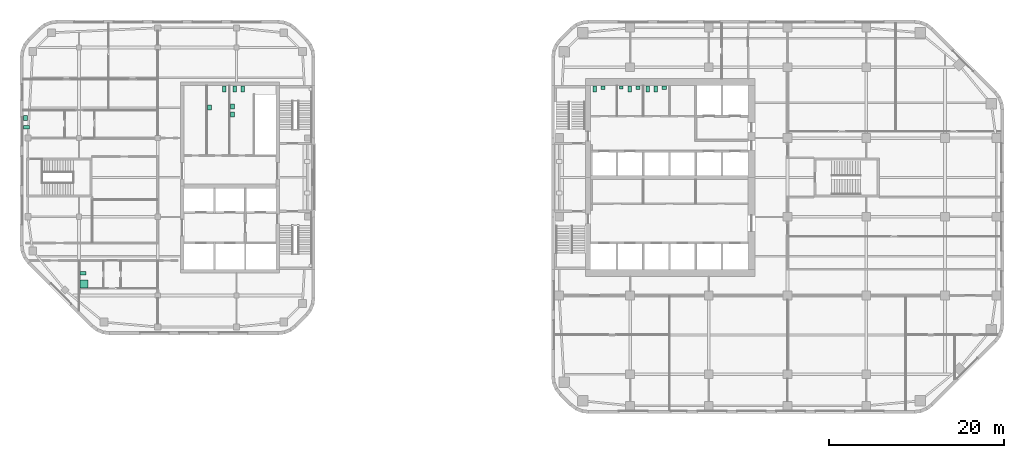
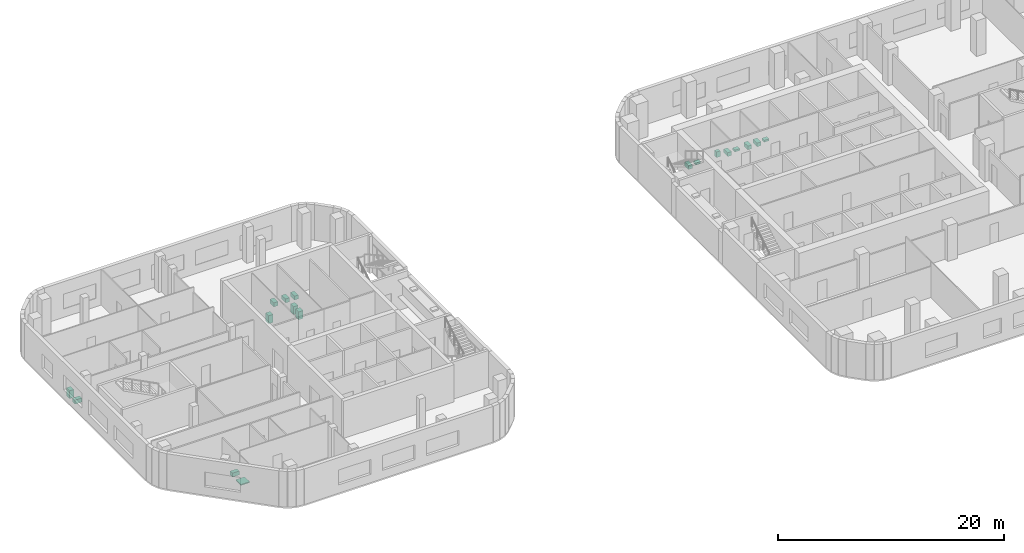
# One storey, part 14 of 14: 18 sanitary terminals.
"""IFC4 building model written with IfcOpenShell, lengths in metres."""

import ifcopenshell
import ifcopenshell.guid

model = None  # the IFC model being written
_history = None  # IfcOwnerHistory: only IFC2X3 demands one
_inside = {}  # id of a spatial element -> (the spatial element, [elements in it])
_under = {}  # id of a project, library or spatial element -> (it, [spatial elements below it])
_declared = {}  # id of a project -> (the project, [libraries it declares])
_typed = {}  # id of a type object -> (the type object, [elements of that type])
_made_of = {}  # id of a material, layer set ... -> (it, [elements and type objects made of it])


def new_model(schema):
    """Start an empty IFC model of exactly this schema.

    Asked for "IFC4X3", IfcOpenShell would pick the latest addendum, in which some entities
    have other attributes; the version numbers below select the first issue.
    IFC2X3 requires an IfcOwnerHistory on every rooted entity: one is made here for all.
    """
    global model, _history
    if schema == "IFC4X3":
        model = ifcopenshell.file(schema_version=(4, 3, 0, 0))
    else:
        model = ifcopenshell.file(schema=schema)
    _inside.clear()
    _under.clear()
    _declared.clear()
    _typed.clear()
    _made_of.clear()
    _history = None
    if model.schema == "IFC2X3":
        org = make("IfcOrganization", Name="unknown")
        user = make(
            "IfcPersonAndOrganization",
            ThePerson=make("IfcPerson", FamilyName="unknown"),
            TheOrganization=org,
        )
        app = make(
            "IfcApplication",
            ApplicationDeveloper=org,
            Version="unknown",
            ApplicationFullName="unknown",
            ApplicationIdentifier="unknown",
        )
        _history = make(
            "IfcOwnerHistory",
            OwningUser=user,
            OwningApplication=app,
            ChangeAction="ADDED",
            CreationDate=0,
        )
    return model


def make(cls, **values):
    """One entity of the class cls with the attributes given. An attribute that is None is left unset."""
    return model.create_entity(
        cls, **{name: value for name, value in values.items() if value is not None}
    )


def rooted(cls, **values):
    """An entity with a GlobalId (a new one), such as an element, a storey or a relation."""
    return make(cls, GlobalId=ifcopenshell.guid.new(), OwnerHistory=_history, **values)


def si_unit(unit_type, name, prefix=None):
    """IfcSIUnit, for example si_unit("LENGTHUNIT", "METRE", prefix="MILLI")."""
    return make("IfcSIUnit", UnitType=unit_type, Prefix=prefix, Name=name)


def assignment(units):
    """IfcUnitAssignment: the units of a project."""
    return None if units is None else make("IfcUnitAssignment", Units=units)


def point(xyz):
    """IfcCartesianPoint."""
    return None if xyz is None else make("IfcCartesianPoint", Coordinates=xyz)


def direction(xyz):
    """IfcDirection."""
    return None if xyz is None else make("IfcDirection", DirectionRatios=xyz)


def frame(location, z_axis=None, x_axis=None):
    """IfcAxis2Placement3D, a coordinate frame: its origin and axes. An axis left out is left unset."""
    return make(
        "IfcAxis2Placement3D",
        Location=point(location),
        Axis=direction(z_axis),
        RefDirection=direction(x_axis),
    )


def frame_2d(location, x_axis=None):
    """IfcAxis2Placement2D, a coordinate frame in the plane: its origin and x axis."""
    return make(
        "IfcAxis2Placement2D", Location=point(location), RefDirection=direction(x_axis)
    )


def origin():
    """The frame at (0, 0, 0) with its axes left unset."""
    return frame((0.0, 0.0, 0.0))


def origin_2d():
    """The frame at (0, 0) in the plane with its x axis left unset."""
    return frame_2d((0.0, 0.0))


def place(relative_to, where):
    """IfcLocalPlacement: puts the frame where relative to a parent placement (None: the world)."""
    return make(
        "IfcLocalPlacement", PlacementRelTo=relative_to, RelativePlacement=where
    )


def context(
    kind, dimensions, precision=None, world=None, true_north=None, identifier=None
):
    """IfcGeometricRepresentationContext, for example the 3D "Model" context."""
    return make(
        "IfcGeometricRepresentationContext",
        ContextIdentifier=identifier,
        ContextType=kind,
        CoordinateSpaceDimension=dimensions,
        Precision=precision,
        WorldCoordinateSystem=world,
        TrueNorth=true_north,
    )


def subcontext(parent, identifier, kind, view, scale=None):
    """IfcGeometricRepresentationSubContext, for example "Body" below "Model"."""
    return make(
        "IfcGeometricRepresentationSubContext",
        ContextIdentifier=identifier,
        ContextType=kind,
        ParentContext=parent,
        TargetScale=scale,
        TargetView=view,
    )


def project(units=None, contexts=None):
    """IfcProject with its units and contexts."""
    return rooted(
        "IfcProject",
        Name="project",
        RepresentationContexts=contexts,
        UnitsInContext=assignment(units),
    )


def spatial(cls, under=None, at=None, **own):
    """A site, building, storey or space (cls), placed at a placement, below another one or the project."""
    s = rooted(cls, ObjectPlacement=at, **own)
    if under is not None:
        _under.setdefault(under.id(), (under, []))[1].append(s)
    return s


def profile(cls, at=None, kind="AREA", **sizes):
    """A parametric profile (cls). Its sizes go by their IFC names, for example OverallWidth=200.0."""
    return make(cls, ProfileType=kind, Position=at, **sizes)


def rectangle(**sizes):
    """IfcRectangleProfileDef."""
    return profile("IfcRectangleProfileDef", **sizes)


def extrude(swept, where, along, depth):
    """IfcExtrudedAreaSolid: the profile swept, set in the frame where, extruded along a direction by depth."""
    return make(
        "IfcExtrudedAreaSolid",
        SweptArea=swept,
        Position=where,
        ExtrudedDirection=direction(along),
        Depth=depth,
    )


def shape(context_of_items, identifier, shape_type, items):
    """IfcShapeRepresentation: the items that make up one representation, for example the "Body"."""
    return make(
        "IfcShapeRepresentation",
        ContextOfItems=context_of_items,
        RepresentationIdentifier=identifier,
        RepresentationType=shape_type,
        Items=items,
    )


def material(Name=None, Category=None):
    """IfcMaterial."""
    return make("IfcMaterial", Name=Name, Category=Category)


def made_of(thing, what):
    """Note that an element or type object is made of a material, layer set ...; save() writes the relation."""
    if what is not None:
        _made_of.setdefault(what.id(), (what, []))[1].append(thing)
    return thing


def type_object(cls, material=None, **own):
    """A type object (cls), such as IfcWallType, which elements share."""
    return made_of(rooted(cls, **own), material)


def element(
    cls,
    number,
    at=None,
    inside=None,
    cuts=None,
    type_object=None,
    material=None,
    context=None,
    identifier="Body",
    shape_type=None,
    held_by="IfcProductDefinitionShape",
    body=None,
    shapes=None,
    **own,
):
    """One element of the class cls, such as IfcWall. Its Tag is "e" and its number.

    at: its placement. inside: the storey or other place that contains it. cuts: it is an
    opening in that element (IfcRelVoidsElement). A single representation is given by context,
    identifier, shape_type and body (its items); several are given by shapes. held_by: the class
    of the entity that holds the representations. save() writes the other relations.
    """
    e = rooted(cls, Tag="e%d" % number, ObjectPlacement=at, **own)
    if body is not None:
        shapes = [shape(context, identifier, shape_type, body)]
    if shapes is not None:
        e.Representation = make(held_by, Representations=shapes)
    if inside is not None:
        _inside.setdefault(inside.id(), (inside, []))[1].append(e)
    if cuts is not None:
        rooted(
            "IfcRelVoidsElement", RelatingBuildingElement=cuts, RelatedOpeningElement=e
        )
    if type_object is not None:
        _typed.setdefault(type_object.id(), (type_object, []))[1].append(e)
    return made_of(e, material)


def aggregate(whole, parts):
    """IfcRelAggregates: a whole, such as a stair, and the parts it consists of."""
    return rooted("IfcRelAggregates", RelatingObject=whole, RelatedObjects=parts)


def save(model, path):
    """Write the relations noted so far, then the file.

    IfcRelAggregates (storeys below a building ...), IfcRelContainedInSpatialStructure (elements
    in a storey), IfcRelDefinesByType, IfcRelAssociatesMaterial and IfcRelDeclares: one each for
    every whole, place, type object, material and project.
    """
    for whole, parts in _under.values():
        aggregate(whole, parts)
    for where, things in _inside.values():
        rooted(
            "IfcRelContainedInSpatialStructure",
            RelatedElements=things,
            RelatingStructure=where,
        )
    for kind, things in _typed.values():
        rooted("IfcRelDefinesByType", RelatedObjects=things, RelatingType=kind)
    for what, things in _made_of.values():
        rooted("IfcRelAssociatesMaterial", RelatedObjects=things, RelatingMaterial=what)
    for by, libraries in _declared.values():
        rooted("IfcRelDeclares", RelatingContext=by, RelatedDefinitions=libraries)
    model.write(path)


model = new_model("IFC4")

# Units and contexts
model_context = context("Model", 3, precision=1e-05, world=origin(), true_north=direction((0.0, 1.0)))
body_context = subcontext(model_context, "Body", "Model", "MODEL_VIEW")
ifc_project = project(units=[si_unit("LENGTHUNIT", "METRE"), si_unit("AREAUNIT", "SQUARE_METRE"), si_unit("VOLUMEUNIT", "CUBIC_METRE"), si_unit("PLANEANGLEUNIT", "RADIAN"), si_unit("MASSUNIT", "GRAM", prefix="KILO")], contexts=[model_context])

# Site, building, storey
site_placement = place(None, origin())
site = spatial("IfcSite", under=ifc_project, at=site_placement, CompositionType="ELEMENT")
building_placement = place(site_placement, origin())
building = spatial("IfcBuilding", under=site, at=building_placement, Name="Cinnabar Reach Civic Tower", CompositionType="ELEMENT")
storey_placement = place(building_placement, frame((0.0, 0.0, 136.0)))
storey = spatial("IfcBuildingStorey", under=building, at=storey_placement, Name="L32", CompositionType="ELEMENT", Elevation=136.0)

# Sanitary terminals
ifc_material_1 = material(Name="Vitreous china")
sanitary_terminal_type_1 = type_object("IfcSanitaryTerminalType", Name="T1 WC pan", PredefinedType="TOILETPAN", material=ifc_material_1)
for number, where, z_axis, x_axis, name in (
    (1, (4.95, 41.6, 0.0), (0.0, 0.0, 1.0), (1.0, 0.0, 0.0), "T1 WC pan 3207-1"),
    (2, (8.95, 41.6, 0.0), (0.0, 0.0, 1.0), (1.0, 0.0, 0.0), "T1 WC pan 3208-2"),
    (3, (11.0, 41.6, 0.0), (0.0, 0.0, 1.0), (1.0, 0.0, 0.0), "T1 WC pan 3209-1"),
    (4, (11.95, 41.6, 0.0), (0.0, 0.0, 1.0), (1.0, 0.0, 0.0), "T1 WC pan 3209-2"),
):
    element("IfcSanitaryTerminal", number, at=place(storey_placement, frame(where, z_axis=z_axis, x_axis=x_axis)), inside=storey, type_object=sanitary_terminal_type_1, Name=name, PredefinedType="TOILETPAN", context=body_context, shape_type="SweptSolid", body=[
        extrude(rectangle(XDim=0.4, YDim=0.7, at=origin_2d()), origin(), (0.0, 0.0, 1.0), 0.4),
    ])
sanitary_terminal_type_2 = type_object("IfcSanitaryTerminalType", Name="T1 urinal", PredefinedType="URINAL", material=ifc_material_1)
sanitary_terminal_1_placement = place(storey_placement, frame((8.0, 41.775, 0.0), z_axis=(0.0, 0.0, 1.0), x_axis=(1.0, 0.0, 0.0)))
element("IfcSanitaryTerminal", 5, at=sanitary_terminal_1_placement, inside=storey, type_object=sanitary_terminal_type_2, Name="T1 urinal 3208-1", PredefinedType="URINAL", context=body_context, shape_type="SweptSolid", body=[
    extrude(rectangle(XDim=0.4, YDim=0.35, at=origin_2d()), origin(), (0.0, 0.0, 1.0), 0.6),
])
sanitary_terminal_type_3 = type_object("IfcSanitaryTerminalType", Name="T1 wash basin", PredefinedType="WASHHANDBASIN", material=ifc_material_1)
for number, where, z_axis, x_axis, name in (
    (6, (5.9, 41.74, 0.0), (0.0, 0.0, 1.0), (1.0, 0.0, 0.0), "T1 wash basin 3207-2"),
    (7, (9.9, 41.74, 0.0), (0.0, 0.0, 1.0), (1.0, 0.0, 0.0), "T1 wash basin 3208-3"),
    (8, (12.9, 41.74, 0.0), (0.0, 0.0, 1.0), (1.0, 0.0, 0.0), "T1 wash basin 3209-3"),
):
    element("IfcSanitaryTerminal", number, at=place(storey_placement, frame(where, z_axis=z_axis, x_axis=x_axis)), inside=storey, type_object=sanitary_terminal_type_3, Name=name, PredefinedType="WASHHANDBASIN", context=body_context, shape_type="SweptSolid", body=[
        extrude(rectangle(XDim=0.5, YDim=0.42, at=origin_2d()), origin(), (0.0, 0.0, 1.0), 0.2),
    ])
ifc_material_2 = material(Name="Acrylic tray")
sanitary_terminal_type_4 = type_object("IfcSanitaryTerminalType", Name="T2 Shower tray", PredefinedType="SHOWER", material=ifc_material_2)
sanitary_terminal_2_placement = place(storey_placement, frame((-53.45, 19.3, 0.0), z_axis=(0.0, 0.0, 1.0), x_axis=(1.0, 0.0, 0.0)))
element("IfcSanitaryTerminal", 9, at=sanitary_terminal_2_placement, inside=storey, type_object=sanitary_terminal_type_4, Name="Shower tray", PredefinedType="SHOWER", context=body_context, shape_type="SweptSolid", body=[
    extrude(rectangle(XDim=0.9, YDim=0.9, at=origin_2d()), origin(), (0.0, 0.0, 1.0), 0.1),
])
sanitary_terminal_type_5 = type_object("IfcSanitaryTerminalType", Name="T2 WC pan", PredefinedType="TOILETPAN", material=ifc_material_1)
for number, where, z_axis, x_axis, name in (
    (10, (-37.4, 41.6, 0.0), (0.0, 0.0, 1.0), (1.0, 0.0, 0.0), "WC pan"),
    (11, (-36.2, 41.6, 0.0), (0.0, 0.0, 1.0), (1.0, 0.0, 0.0), "WC pan"),
    (12, (-35.3, 41.6, 0.0), (0.0, 0.0, 1.0), (1.0, 0.0, 0.0), "WC pan"),
):
    element("IfcSanitaryTerminal", number, at=place(storey_placement, frame(where, z_axis=z_axis, x_axis=x_axis)), inside=storey, type_object=sanitary_terminal_type_5, Name=name, PredefinedType="TOILETPAN", context=body_context, shape_type="SweptSolid", body=[
        extrude(rectangle(XDim=0.4, YDim=0.7, at=origin_2d()), origin(), (0.0, 0.0, 1.0), 0.42),
    ])
for number, where, z_axis, x_axis, name in (
    (13, (-53.55, 20.55, 0.0), (0.0, 0.0, 1.0), (1.0, 0.0, 0.0), "WC pan"),
    (14, (-59.99, 37.25, 0.0), (0.0, 0.0, 1.0), (1.0, 0.0, 0.0), "WC pan"),
):
    element("IfcSanitaryTerminal", number, at=place(storey_placement, frame(where, z_axis=z_axis, x_axis=x_axis)), inside=storey, type_object=sanitary_terminal_type_5, Name=name, PredefinedType="TOILETPAN", context=body_context, shape_type="SweptSolid", body=[
        extrude(rectangle(XDim=0.7, YDim=0.4, at=origin_2d()), origin(), (0.0, 0.0, 1.0), 0.42),
    ])
sanitary_terminal_type_6 = type_object("IfcSanitaryTerminalType", Name="T2 Wash basin", PredefinedType="WASHHANDBASIN", material=ifc_material_1)
for number, where, z_axis, x_axis, name in (
    (15, (-39.075, 39.5, 0.0), (0.0, 0.0, 1.0), (1.0, 0.0, 0.0), "Wash basin"),
    (16, (-36.475, 39.6, 0.0), (0.0, 0.0, 1.0), (1.0, 0.0, 0.0), "Wash basin"),
    (17, (-36.475, 38.7, 0.0), (0.0, 0.0, 1.0), (1.0, 0.0, 0.0), "Wash basin"),
    (18, (-60.115, 38.3, 0.0), (0.0, 0.0, 1.0), (1.0, 0.0, 0.0), "Wash basin"),
):
    element("IfcSanitaryTerminal", number, at=place(storey_placement, frame(where, z_axis=z_axis, x_axis=x_axis)), inside=storey, type_object=sanitary_terminal_type_6, Name=name, PredefinedType="WASHHANDBASIN", context=body_context, shape_type="SweptSolid", body=[
        extrude(rectangle(XDim=0.45, YDim=0.55, at=origin_2d()), origin(), (0.0, 0.0, 1.0), 0.85),
    ])

save(model, "model.ifc")
